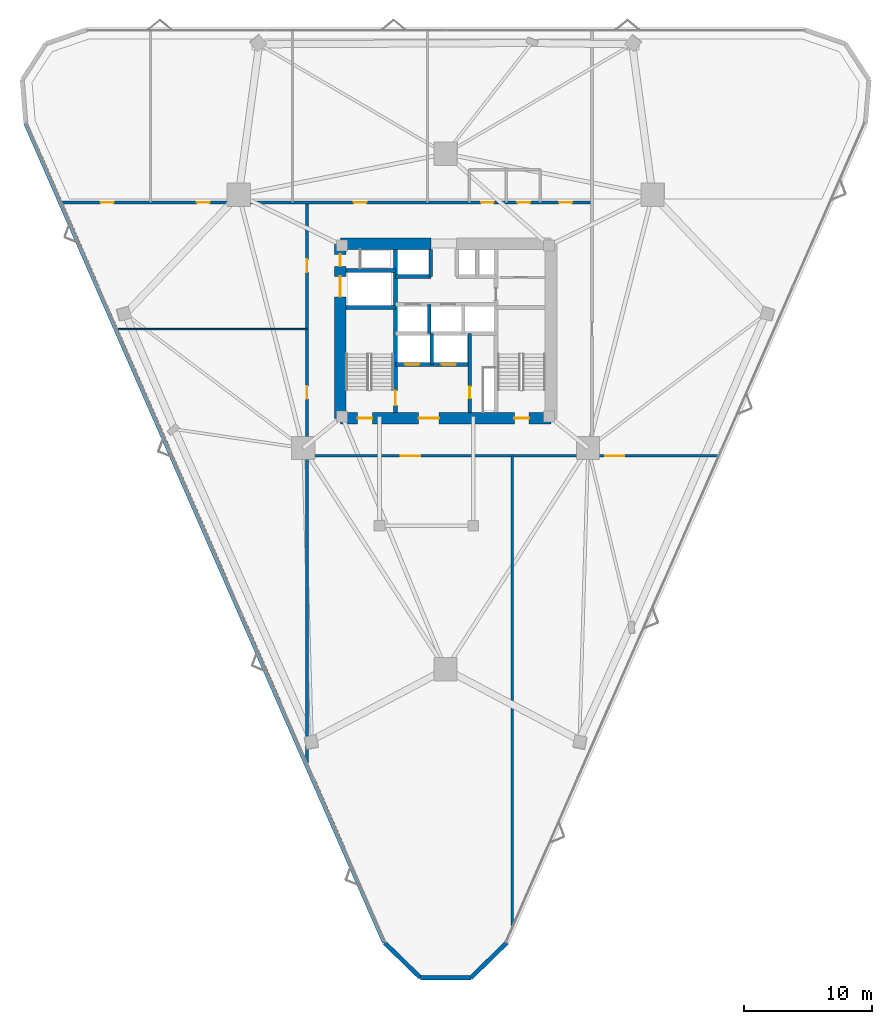
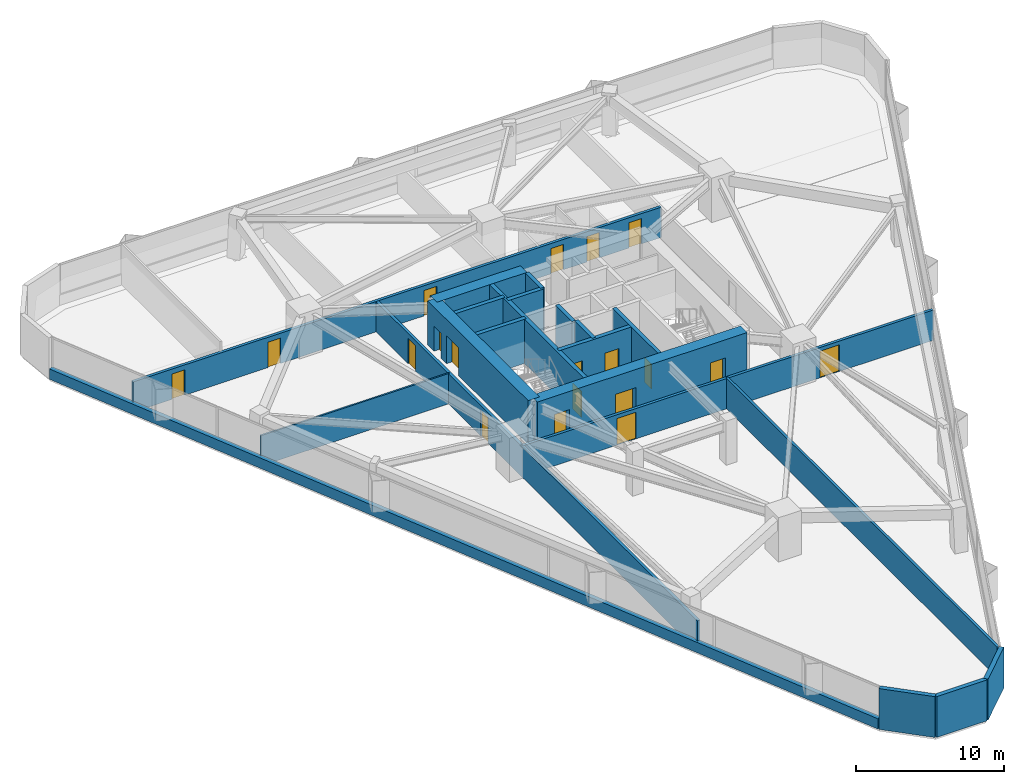
# One storey, part 17 of 21: 21 walls, 19 doors, 19 openings.
"""IFC4 building model written with IfcOpenShell, lengths in metres."""

from ifc_helpers import new_model, si_unit, direction, frame, frame_2d, origin, place, context, subcontext, project, spatial, rectangle, extrude, material, layer, layer_set, type_object, element, fill, save


model = new_model("IFC4")

# Units and contexts
model_context = context("Model", 3, precision=1e-05, world=origin(), true_north=direction((0.0, 1.0)))
body_context = subcontext(model_context, "Body", "Model", "MODEL_VIEW")
ifc_project = project(units=[si_unit("LENGTHUNIT", "METRE"), si_unit("AREAUNIT", "SQUARE_METRE"), si_unit("VOLUMEUNIT", "CUBIC_METRE"), si_unit("PLANEANGLEUNIT", "RADIAN"), si_unit("MASSUNIT", "GRAM", prefix="KILO")], contexts=[model_context])

# Site, building, storey
site_placement = place(None, origin())
site = spatial("IfcSite", under=ifc_project, at=site_placement, CompositionType="ELEMENT")
building_placement = place(site_placement, origin())
building = spatial("IfcBuilding", under=site, at=building_placement, Name="Talyreon Biosciences Tower", CompositionType="ELEMENT")
storey_placement = place(building_placement, frame((0.0, 0.0, 55.64990234375)))
storey = spatial("IfcBuildingStorey", under=building, at=storey_placement, Name="L14", CompositionType="ELEMENT", Elevation=55.64990234375)

# Walls
ifc_material_1 = material(Name="Gypsum fireboard acoustic stud", Category="gypsum")
ifc_layer_1 = layer(ifc_material_1, 0.199951171875)
ifc_layer_set_1 = layer_set([ifc_layer_1], Name="Gypsum fireboard acoustic stud")
wall_type_1 = type_object("IfcWallType", Name="ChemControlPartition_200", PredefinedType="PARTITIONING", material=ifc_layer_set_1)
wall_1_placement = place(storey_placement, frame((71.197021484375, 21.59228515625, 0.0), z_axis=(0.0, 0.0, 1.0), x_axis=(0.0, 1.0, 0.0)))
element("IfcWall", 1, at=wall_1_placement, inside=storey, type_object=wall_type_1, Name="L14 Interior Wall IW-L14-SDIV1", PredefinedType="PARTITIONING", context=body_context, shape_type="SweptSolid", body=[
    extrude(rectangle(XDim=36.687744140625, YDim=0.199951171875, at=frame_2d((18.34375, 0.0))), origin(), (0.0, 0.0, 1.0), 2.505126953125),
])
ifc_material_2 = material(Name="Concrete C50/60", Category="concrete")
ifc_layer_2 = layer(ifc_material_2, 0.280029296875)
ifc_layer_set_2 = layer_set([ifc_layer_2], Name="Concrete C50/60")
wall_type_2 = type_object("IfcWallType", Name="CoreShearWall_280", PredefinedType="SHEAR", material=ifc_layer_set_2)
wall_2_placement = place(storey_placement, frame((64.919921875, 65.39990234375, 0.0), z_axis=(0.0, 0.0, 1.0), x_axis=(0.0, 1.0, 0.0)))
element("IfcWall", 2, at=wall_2_placement, inside=storey, type_object=wall_type_2, Name="L14 Core Shaft Wall SWSHD1", PredefinedType="SHEAR", context=body_context, shape_type="SweptSolid", body=[
    extrude(rectangle(XDim=2.400146484375, YDim=0.280029296875, at=frame_2d((1.2001953125, 0.0))), origin(), (0.0, 0.0, 1.0), 3.650146484375),
])
wall_3_placement = place(storey_placement, frame((64.85009765625, 72.25, 0.0), z_axis=(0.0, 0.0, 1.0), x_axis=(0.0, 1.0, 0.0)))
element("IfcWall", 3, at=wall_3_placement, inside=storey, type_object=wall_type_2, Name="L14 Core Shaft Wall SWTHW", PredefinedType="SHEAR", context=body_context, shape_type="SweptSolid", body=[
    extrude(rectangle(XDim=2.10009765625, YDim=0.280029296875, at=frame_2d((1.050048828125, 0.0))), origin(), (0.0, 0.0, 1.0), 3.650146484375),
])

# Wall, opening, door
wall_4_placement = place(storey_placement, frame((67.8798828125, 61.64990234375, 0.0), z_axis=(0.0, 0.0, 1.0), x_axis=(0.0, 1.0, 0.0)))
wall_4 = element("IfcWall", 4, at=wall_4_placement, inside=storey, type_object=wall_type_2, Name="L14 Core Shaft Wall SWFFE", PredefinedType="SHEAR", context=body_context, shape_type="SweptSolid", body=[
    extrude(rectangle(XDim=6.150146484375, YDim=0.280029296875, at=frame_2d((3.0751953125, 0.0))), origin(), (0.0, 0.0, 1.0), 3.650146484375),
])
opening_1_placement = place(wall_4_placement, frame((1.10009765625, 0.0, 0.0)))
opening_1 = element("IfcOpeningElement", 5, at=opening_1_placement, cuts=wall_4, Name="Opening DR-L14-RSE", PredefinedType="OPENING", context=body_context, shape_type="SweptSolid", body=[
    extrude(rectangle(XDim=0.919921875, YDim=2.050048828125, at=frame_2d((0.4599609375, 1.02490234375))), frame((0.0, 0.14990234375, 0.0), z_axis=(0.0, -1.0, 0.0), x_axis=(1.0, 0.0, 0.0)), (0.0, 0.0, 1.0), 0.300048828125),
])
ifc_material_3 = material(Name="Painted steel fire-rated riser door", Category="steel")
door_type_1 = type_object("IfcDoorType", Name="RiserPlantAccessDoor_920x2050", OperationType="NOTDEFINED", PredefinedType="DOOR", material=ifc_material_3)
door_1_placement = place(opening_1_placement, origin())
door_1 = element("IfcDoor", 6, at=door_1_placement, inside=storey, type_object=door_type_1, Name="L14 Core Door DR-L14-RSE", OperationType="SINGLE_SWING_RIGHT", OverallHeight=2.050048828125, OverallWidth=0.919921875, PredefinedType="DOOR", context=body_context, shape_type="SweptSolid", body=[
    extrude(rectangle(XDim=0.919921875, YDim=2.050048828125, at=frame_2d((0.4599609375, 1.02490234375))), frame((0.0, 0.02490234375, 0.0), z_axis=(0.0, -1.0, 0.0), x_axis=(1.0, 0.0, 0.0)), (0.0, 0.0, 1.0), 0.050048828125),
])
fill(opening_1, door_1)

# Wall
wall_5_placement = place(storey_placement, frame((64.719970703125, 67.800048828125, 0.0), z_axis=(0.0, 0.0, 1.0), x_axis=(0.0, 1.0, 0.0)))
element("IfcWall", 7, at=wall_5_placement, inside=storey, type_object=wall_type_2, Name="L14 Core Shaft Wall SWPLD", PredefinedType="SHEAR", context=body_context, shape_type="SweptSolid", body=[
    extrude(rectangle(XDim=2.25, YDim=0.280029296875, at=frame_2d((1.125, 0.0))), origin(), (0.0, 0.0, 1.0), 3.650146484375),
])

# Wall, opening, door
ifc_layer_3 = layer(ifc_material_2, 0.320068359375)
ifc_layer_set_3 = layer_set([ifc_layer_3], Name="Concrete C50/60")
wall_type_3 = type_object("IfcWallType", Name="CoreShearWall_320", PredefinedType="SHEAR", material=ifc_layer_set_3)
wall_6_placement = place(storey_placement, frame((62.090087890625, 61.64990234375, 0.0), z_axis=(0.0, 0.0, 1.0), x_axis=(0.0, 1.0, 0.0)))
wall_6 = element("IfcWall", 8, at=wall_6_placement, inside=storey, type_object=wall_type_3, Name="L14 Core Shaft Wall SW1E", PredefinedType="SHEAR", context=body_context, shape_type="SweptSolid", body=[
    extrude(rectangle(XDim=12.7001953125, YDim=0.320068359375, at=frame_2d((6.35009765625, 0.0))), origin(), (0.0, 0.0, 1.0), 3.650146484375),
])
opening_2_placement = place(wall_6_placement, frame((0.550048828125, 0.0, 0.0)))
opening_2 = element("IfcOpeningElement", 9, at=opening_2_placement, cuts=wall_6, Name="Opening DR-L14-FF-ST1", PredefinedType="OPENING", context=body_context, shape_type="SweptSolid", body=[
    extrude(rectangle(XDim=1.14990234375, YDim=2.14990234375, at=frame_2d((0.574951171875, 1.074951171875))), frame((0.0, 0.169921875, 0.0), z_axis=(0.0, -1.0, 0.0), x_axis=(1.0, 0.0, 0.0)), (0.0, 0.0, 1.0), 0.340087890625),
])
ifc_material_4 = material(Name="Painted steel fire door", Category="steel")
door_type_2 = type_object("IfcDoorType", Name="StairShaftFireDoor_1150x2150", OperationType="NOTDEFINED", PredefinedType="DOOR", material=ifc_material_4)
door_2_placement = place(opening_2_placement, origin())
door_2 = element("IfcDoor", 10, at=door_2_placement, inside=storey, type_object=door_type_2, Name="L14 Core Door DR-L14-FF-ST1", OperationType="SINGLE_SWING_LEFT", OverallHeight=2.14990234375, OverallWidth=1.14990234375, PredefinedType="DOOR", context=body_context, shape_type="SweptSolid", body=[
    extrude(rectangle(XDim=1.14990234375, YDim=2.14990234375, at=frame_2d((0.574951171875, 1.074951171875))), frame((0.0, 0.02490234375, 0.0), z_axis=(0.0, -1.0, 0.0), x_axis=(1.0, 0.0, 0.0)), (0.0, 0.0, 1.0), 0.050048828125),
])
fill(opening_2, door_2)

# Walls
for number, where, z_axis, x_axis, name in (
    (11, (58.25, 69.81005859375, 0.0), (0.0, 0.0, 1.0), (1.0, 0.0, 0.0), "L14 Core Shaft Wall SW1N"),
    (12, (58.25, 72.699951171875, 0.0), (0.0, 0.0, 1.0), (1.0, 0.0, 0.0), "L14 Core Shaft Wall SWGLN"),
):
    element("IfcWall", number, at=place(storey_placement, frame(where, z_axis=z_axis, x_axis=x_axis)), inside=storey, type_object=wall_type_3, Name=name, PredefinedType="SHEAR", context=body_context, shape_type="SweptSolid", body=[
        extrude(rectangle(XDim=3.840087890625, YDim=0.320068359375, at=frame_2d((1.919921875, 0.0))), origin(), (0.0, 0.0, 1.0), 3.650146484375),
    ])
wall_7_placement = place(storey_placement, frame((62.090087890625, 72.25, 0.0), z_axis=(0.0, 0.0, 1.0), x_axis=(1.0, 0.0, 0.0)))
element("IfcWall", 13, at=wall_7_placement, inside=storey, type_object=wall_type_3, Name="L14 Core Shaft Wall SWNPW", PredefinedType="SHEAR", context=body_context, shape_type="SweptSolid", body=[
    extrude(rectangle(XDim=2.760009765625, YDim=0.320068359375, at=frame_2d((1.3798828125, 0.0))), origin(), (0.0, 0.0, 1.0), 3.650146484375),
])

# Wall, openings, doors
wall_8_placement = place(storey_placement, frame((62.090087890625, 65.39990234375, 0.0), z_axis=(0.0, 0.0, 1.0), x_axis=(1.0, 0.0, 0.0)))
wall_8 = element("IfcWall", 14, at=wall_8_placement, inside=storey, type_object=wall_type_3, Name="L14 Core Shaft Wall SWFFN", PredefinedType="SHEAR", context=body_context, shape_type="SweptSolid", body=[
    extrude(rectangle(XDim=5.789794921875, YDim=0.320068359375, at=frame_2d((2.89501953125, 0.0))), origin(), (0.0, 0.0, 1.0), 3.650146484375),
])
opening_3_placement = place(wall_8_placement, frame((0.75, 0.0, 0.0)))
opening_3 = element("IfcOpeningElement", 15, at=opening_3_placement, cuts=wall_8, Name="Opening LD-L14-FL1", PredefinedType="OPENING", context=body_context, shape_type="SweptSolid", body=[
    extrude(rectangle(XDim=1.10009765625, YDim=2.199951171875, at=frame_2d((0.550048828125, 1.10009765625))), frame((0.0, 0.169921875, 0.0), z_axis=(0.0, -1.0, 0.0), x_axis=(1.0, 0.0, 0.0)), (0.0, 0.0, 1.0), 0.340087890625),
])
opening_4_placement = place(wall_8_placement, frame((3.60009765625, 0.0, 0.0)))
opening_4 = element("IfcOpeningElement", 16, at=opening_4_placement, cuts=wall_8, Name="Opening LD-L14-FL2", PredefinedType="OPENING", context=body_context, shape_type="SweptSolid", body=[
    extrude(rectangle(XDim=1.10009765625, YDim=2.199951171875, at=frame_2d((0.550048828125, 1.10009765625))), frame((0.0, 0.169921875, 0.0), z_axis=(0.0, -1.0, 0.0), x_axis=(1.0, 0.0, 0.0)), (0.0, 0.0, 1.0), 0.340087890625),
])
ifc_material_5 = material(Name="Brushed stainless-steel lift landing door", Category="steel")
door_type_3 = type_object("IfcDoorType", Name="LiftSlidingLandingDoor_1100x2200", OperationType="SLIDING_TO_LEFT", PredefinedType="DOOR", material=ifc_material_5)
door_3_placement = place(opening_3_placement, origin())
door_3 = element("IfcDoor", 17, at=door_3_placement, inside=storey, type_object=door_type_3, Name="L14 Core Door LD-L14-FL1", OperationType="SLIDING_TO_LEFT", OverallHeight=2.199951171875, OverallWidth=1.10009765625, PredefinedType="DOOR", context=body_context, shape_type="SweptSolid", body=[
    extrude(rectangle(XDim=1.10009765625, YDim=2.199951171875, at=frame_2d((0.550048828125, 1.10009765625))), frame((0.0, 0.02490234375, 0.0), z_axis=(0.0, -1.0, 0.0), x_axis=(1.0, 0.0, 0.0)), (0.0, 0.0, 1.0), 0.050048828125),
])
fill(opening_3, door_3)
door_4_placement = place(opening_4_placement, origin())
door_4 = element("IfcDoor", 18, at=door_4_placement, inside=storey, type_object=door_type_3, Name="L14 Core Door LD-L14-FL2", OperationType="SLIDING_TO_LEFT", OverallHeight=2.199951171875, OverallWidth=1.10009765625, PredefinedType="DOOR", context=body_context, shape_type="SweptSolid", body=[
    extrude(rectangle(XDim=1.10009765625, YDim=2.199951171875, at=frame_2d((0.550048828125, 1.10009765625))), frame((0.0, 0.02490234375, 0.0), z_axis=(0.0, -1.0, 0.0), x_axis=(1.0, 0.0, 0.0)), (0.0, 0.0, 1.0), 0.050048828125),
])
fill(opening_4, door_4)

ifc_material_6 = material(Name="Concrete C60/75", Category="concrete")
ifc_layer_4 = layer(ifc_material_6, 0.89990234375)
ifc_layer_set_4 = layer_set([ifc_layer_4], Name="Concrete C60/75")
wall_type_4 = type_object("IfcWallType", Name="CoreShearWall_900", PredefinedType="SHEAR", material=ifc_layer_set_4)
wall_9_placement = place(storey_placement, frame((57.800048828125, 61.199951171875, 0.0), z_axis=(0.0, 0.0, 1.0), x_axis=(1.0, 0.0, 0.0)))
wall_9 = element("IfcWall", 19, at=wall_9_placement, inside=storey, type_object=wall_type_4, Name="L14 Core Shear Wall S", PredefinedType="SHEAR", context=body_context, shape_type="SweptSolid", body=[
    extrude(rectangle(XDim=16.39990234375, YDim=0.89990234375, at=frame_2d((8.199951171875, 0.0))), origin(), (0.0, 0.0, 1.0), 3.650146484375),
])
opening_5_placement = place(wall_9_placement, frame((1.35009765625, 0.0, 0.0)))
opening_5 = element("IfcOpeningElement", 20, at=opening_5_placement, cuts=wall_9, Name="Opening DR-L14-ST1", PredefinedType="OPENING", context=body_context, shape_type="SweptSolid", body=[
    extrude(rectangle(XDim=1.14990234375, YDim=2.14990234375, at=frame_2d((0.574951171875, 1.074951171875))), frame((0.0, 0.4599609375, 0.0), z_axis=(0.0, -1.0, 0.0), x_axis=(1.0, 0.0, 0.0)), (0.0, 0.0, 1.0), 0.919921875),
])
opening_6_placement = place(wall_9_placement, frame((6.10009765625, 0.0, 0.0)))
opening_6 = element("IfcOpeningElement", 21, at=opening_6_placement, cuts=wall_9, Name="Opening DR-L14-FFL", PredefinedType="OPENING", context=body_context, shape_type="SweptSolid", body=[
    extrude(rectangle(XDim=1.60009765625, YDim=2.14990234375, at=frame_2d((0.800048828125, 1.074951171875))), frame((0.0, 0.4599609375, 0.0), z_axis=(0.0, -1.0, 0.0), x_axis=(1.0, 0.0, 0.0)), (0.0, 0.0, 1.0), 0.919921875),
])
opening_7_placement = place(wall_9_placement, frame((13.550048828125, 0.0, 0.0)))
opening_7 = element("IfcOpeningElement", 22, at=opening_7_placement, cuts=wall_9, Name="Opening DR-L14-ST2", PredefinedType="OPENING", context=body_context, shape_type="SweptSolid", body=[
    extrude(rectangle(XDim=1.14990234375, YDim=2.14990234375, at=frame_2d((0.574951171875, 1.074951171875))), frame((0.0, 0.4599609375, 0.0), z_axis=(0.0, -1.0, 0.0), x_axis=(1.0, 0.0, 0.0)), (0.0, 0.0, 1.0), 0.919921875),
])
ifc_material_7 = material(Name="Painted steel smoke-seal fire door", Category="steel")
door_type_4 = type_object("IfcDoorType", Name="FirefightingLobbyDoubleDoor_1600x2150", OperationType="DOUBLE_DOOR_SINGLE_SWING", PredefinedType="DOOR", material=ifc_material_7)
door_5_placement = place(opening_6_placement, origin())
door_5 = element("IfcDoor", 23, at=door_5_placement, inside=storey, type_object=door_type_4, Name="L14 Core Door DR-L14-FFL", OperationType="DOUBLE_DOOR_SINGLE_SWING", OverallHeight=2.14990234375, OverallWidth=1.60009765625, PredefinedType="DOOR", context=body_context, shape_type="SweptSolid", body=[
    extrude(rectangle(XDim=1.60009765625, YDim=2.14990234375, at=frame_2d((0.800048828125, 1.074951171875))), frame((0.0, 0.02490234375, 0.0), z_axis=(0.0, -1.0, 0.0), x_axis=(1.0, 0.0, 0.0)), (0.0, 0.0, 1.0), 0.050048828125),
])
fill(opening_6, door_5)
door_6_placement = place(opening_5_placement, origin())
door_6 = element("IfcDoor", 24, at=door_6_placement, inside=storey, type_object=door_type_2, Name="L14 Core Door DR-L14-ST1", OperationType="SINGLE_SWING_LEFT", OverallHeight=2.14990234375, OverallWidth=1.14990234375, PredefinedType="DOOR", context=body_context, shape_type="SweptSolid", body=[
    extrude(rectangle(XDim=1.14990234375, YDim=2.14990234375, at=frame_2d((0.574951171875, 1.074951171875))), frame((0.0, 0.02490234375, 0.0), z_axis=(0.0, -1.0, 0.0), x_axis=(1.0, 0.0, 0.0)), (0.0, 0.0, 1.0), 0.050048828125),
])
fill(opening_5, door_6)
door_7_placement = place(opening_7_placement, origin())
door_7 = element("IfcDoor", 25, at=door_7_placement, inside=storey, type_object=door_type_2, Name="L14 Core Door DR-L14-ST2", OperationType="SINGLE_SWING_RIGHT", OverallHeight=2.14990234375, OverallWidth=1.14990234375, PredefinedType="DOOR", context=body_context, shape_type="SweptSolid", body=[
    extrude(rectangle(XDim=1.14990234375, YDim=2.14990234375, at=frame_2d((0.574951171875, 1.074951171875))), frame((0.0, 0.02490234375, 0.0), z_axis=(0.0, -1.0, 0.0), x_axis=(1.0, 0.0, 0.0)), (0.0, 0.0, 1.0), 0.050048828125),
])
fill(opening_7, door_7)

# Wall
wall_10_placement = place(storey_placement, frame((64.85009765625, 74.800048828125, 0.0), z_axis=(0.0, 0.0, 1.0), x_axis=(-1.0, 0.0, 0.0)))
element("IfcWall", 26, at=wall_10_placement, inside=storey, type_object=wall_type_4, Name="L14 Core Shear Wall NW", PredefinedType="SHEAR", context=body_context, shape_type="SweptSolid", body=[
    extrude(rectangle(XDim=7.050048828125, YDim=0.89990234375, at=frame_2d((3.52490234375, 0.0))), origin(), (0.0, 0.0, 1.0), 3.650146484375),
])

# Wall, openings, doors
wall_11_placement = place(storey_placement, frame((57.800048828125, 74.800048828125, 0.0), z_axis=(0.0, 0.0, 1.0), x_axis=(0.0, -1.0, 0.0)))
wall_11 = element("IfcWall", 27, at=wall_11_placement, inside=storey, type_object=wall_type_4, Name="L14 Core Shear Wall W", PredefinedType="SHEAR", context=body_context, shape_type="SweptSolid", body=[
    extrude(rectangle(XDim=13.60009765625, YDim=0.89990234375, at=frame_2d((6.800048828125, 0.0))), origin(), (0.0, 0.0, 1.0), 3.650146484375),
])
opening_8_placement = place(wall_11_placement, frame((0.85009765625, 0.0, 0.0)))
opening_8 = element("IfcOpeningElement", 28, at=opening_8_placement, cuts=wall_11, Name="Opening DR-L14-RSW", PredefinedType="OPENING", context=body_context, shape_type="SweptSolid", body=[
    extrude(rectangle(XDim=0.919921875, YDim=2.050048828125, at=frame_2d((0.4599609375, 1.02490234375))), frame((0.0, 0.4599609375, 0.0), z_axis=(0.0, -1.0, 0.0), x_axis=(1.0, 0.0, 0.0)), (0.0, 0.0, 1.0), 0.919921875),
])
opening_9_placement = place(wall_11_placement, frame((2.550048828125, 0.0, 0.0)))
opening_9 = element("IfcOpeningElement", 29, at=opening_9_placement, cuts=wall_11, Name="Opening LD-L14-GL1", PredefinedType="OPENING", context=body_context, shape_type="SweptSolid", body=[
    extrude(rectangle(XDim=1.60009765625, YDim=2.300048828125, at=frame_2d((0.800048828125, 1.14990234375))), frame((0.0, 0.4599609375, 0.0), z_axis=(0.0, -1.0, 0.0), x_axis=(1.0, 0.0, 0.0)), (0.0, 0.0, 1.0), 0.919921875),
])
ifc_material_8 = material(Name="Heavy-duty stainless-steel goods lift door", Category="steel")
door_type_5 = type_object("IfcDoorType", Name="GoodsLiftSlidingDoor_1600x2300", OperationType="DOUBLE_DOOR_SLIDING", PredefinedType="DOOR", material=ifc_material_8)
door_8_placement = place(opening_9_placement, origin())
door_8 = element("IfcDoor", 30, at=door_8_placement, inside=storey, type_object=door_type_5, Name="L14 Core Door LD-L14-GL1", OperationType="DOUBLE_DOOR_SLIDING", OverallHeight=2.300048828125, OverallWidth=1.60009765625, PredefinedType="DOOR", context=body_context, shape_type="SweptSolid", body=[
    extrude(rectangle(XDim=1.60009765625, YDim=2.300048828125, at=frame_2d((0.800048828125, 1.14990234375))), frame((0.0, 0.02490234375, 0.0), z_axis=(0.0, -1.0, 0.0), x_axis=(1.0, 0.0, 0.0)), (0.0, 0.0, 1.0), 0.050048828125),
])
fill(opening_9, door_8)
door_9_placement = place(opening_8_placement, origin())
door_9 = element("IfcDoor", 31, at=door_9_placement, inside=storey, type_object=door_type_1, Name="L14 Core Door DR-L14-RSW", OperationType="SINGLE_SWING_LEFT", OverallHeight=2.050048828125, OverallWidth=0.919921875, PredefinedType="DOOR", context=body_context, shape_type="SweptSolid", body=[
    extrude(rectangle(XDim=0.919921875, YDim=2.050048828125, at=frame_2d((0.4599609375, 1.02490234375))), frame((0.0, 0.02490234375, 0.0), z_axis=(0.0, -1.0, 0.0), x_axis=(1.0, 0.0, 0.0)), (0.0, 0.0, 1.0), 0.050048828125),
])
fill(opening_8, door_9)

ifc_layer_5 = layer(ifc_material_1, 0.219970703125)
ifc_layer_set_5 = layer_set([ifc_layer_5], Name="Gypsum fireboard acoustic stud")
wall_type_5 = type_object("IfcWallType", Name="CorridorRatedPartition_220", PredefinedType="PARTITIONING", material=ifc_layer_set_5)
wall_12_placement = place(storey_placement, frame((36.11376953125, 78.0, 0.0), z_axis=(0.0, 0.0, 1.0), x_axis=(1.0, 0.0, 0.0)))
wall_12 = element("IfcWall", 32, at=wall_12_placement, inside=storey, type_object=wall_type_5, Name="L14 Interior Wall IW-L14-COR-N", PredefinedType="PARTITIONING", context=body_context, shape_type="SweptSolid", body=[
    extrude(rectangle(XDim=41.2861328125, YDim=0.219970703125, at=frame_2d((20.64306640625, 0.0))), origin(), (0.0, 0.0, 1.0), 2.505126953125),
])
opening_10_placement = place(wall_12_placement, frame((32.64599609375, 0.0, 0.0)))
opening_10 = element("IfcOpeningElement", 33, at=opening_10_placement, cuts=wall_12, Name="Opening DR-L14-WC", PredefinedType="OPENING", context=body_context, shape_type="SweptSolid", body=[
    extrude(rectangle(XDim=0.97998046875, YDim=2.10009765625, at=frame_2d((0.489990234375, 1.050048828125))), frame((0.0, 0.119873046875, 0.0), z_axis=(0.0, -1.0, 0.0), x_axis=(1.0, 0.0, 0.0)), (0.0, 0.0, 1.0), 0.239990234375),
])
opening_11_placement = place(wall_12_placement, frame((35.470947265625, 0.0, 0.0)))
opening_11 = element("IfcOpeningElement", 34, at=opening_11_placement, cuts=wall_12, Name="Opening DR-L14-AWC", PredefinedType="OPENING", context=body_context, shape_type="SweptSolid", body=[
    extrude(rectangle(XDim=0.97998046875, YDim=2.10009765625, at=frame_2d((0.489990234375, 1.050048828125))), frame((0.0, 0.119873046875, 0.0), z_axis=(0.0, -1.0, 0.0), x_axis=(1.0, 0.0, 0.0)), (0.0, 0.0, 1.0), 0.239990234375),
])
opening_12_placement = place(wall_12_placement, frame((3.0390625, 0.0, 0.0)))
opening_12 = element("IfcOpeningElement", 35, at=opening_12_placement, cuts=wall_12, Name="Opening DR-L14-N1A", PredefinedType="OPENING", context=body_context, shape_type="SweptSolid", body=[
    extrude(rectangle(XDim=1.0, YDim=2.10009765625, at=frame_2d((0.5, 1.050048828125))), frame((0.0, 0.119873046875, 0.0), z_axis=(0.0, -1.0, 0.0), x_axis=(1.0, 0.0, 0.0)), (0.0, 0.0, 1.0), 0.239990234375),
])
opening_13_placement = place(wall_12_placement, frame((10.527099609375, 0.0, 0.0)))
opening_13 = element("IfcOpeningElement", 36, at=opening_13_placement, cuts=wall_12, Name="Opening DR-L14-N2A", PredefinedType="OPENING", context=body_context, shape_type="SweptSolid", body=[
    extrude(rectangle(XDim=1.0, YDim=2.10009765625, at=frame_2d((0.5, 1.050048828125))), frame((0.0, 0.119873046875, 0.0), z_axis=(0.0, -1.0, 0.0), x_axis=(1.0, 0.0, 0.0)), (0.0, 0.0, 1.0), 0.239990234375),
])
opening_14_placement = place(wall_12_placement, frame((22.73291015625, 0.0, 0.0)))
opening_14 = element("IfcOpeningElement", 37, at=opening_14_placement, cuts=wall_12, Name="Opening DR-L14-N3A", PredefinedType="OPENING", context=body_context, shape_type="SweptSolid", body=[
    extrude(rectangle(XDim=1.0, YDim=2.10009765625, at=frame_2d((0.5, 1.050048828125))), frame((0.0, 0.119873046875, 0.0), z_axis=(0.0, -1.0, 0.0), x_axis=(1.0, 0.0, 0.0)), (0.0, 0.0, 1.0), 0.239990234375),
])
opening_15_placement = place(wall_12_placement, frame((38.72607421875, 0.0, 0.0)))
opening_15 = element("IfcOpeningElement", 38, at=opening_15_placement, cuts=wall_12, Name="Opening DR-L14-N4A", PredefinedType="OPENING", context=body_context, shape_type="SweptSolid", body=[
    extrude(rectangle(XDim=1.0, YDim=2.10009765625, at=frame_2d((0.5, 1.050048828125))), frame((0.0, 0.119873046875, 0.0), z_axis=(0.0, -1.0, 0.0), x_axis=(1.0, 0.0, 0.0)), (0.0, 0.0, 1.0), 0.239990234375),
])
ifc_material_9 = material(Name="Laminate moisture-resistant door", Category="wood")
door_type_6 = type_object("IfcDoorType", Name="AccessibleToiletDoor_980x2100", OperationType="NOTDEFINED", PredefinedType="DOOR", material=ifc_material_9)
door_10_placement = place(opening_10_placement, origin())
door_10 = element("IfcDoor", 39, at=door_10_placement, inside=storey, type_object=door_type_6, Name="L14 Interior Door DR-L14-WC", OperationType="SINGLE_SWING_RIGHT", OverallHeight=2.10009765625, OverallWidth=0.97998046875, PredefinedType="DOOR", context=body_context, shape_type="SweptSolid", body=[
    extrude(rectangle(XDim=0.97998046875, YDim=2.10009765625, at=frame_2d((0.489990234375, 1.050048828125))), frame((0.0, 0.02490234375, 0.0), z_axis=(0.0, -1.0, 0.0), x_axis=(1.0, 0.0, 0.0)), (0.0, 0.0, 1.0), 0.050048828125),
])
fill(opening_10, door_10)
door_11_placement = place(opening_11_placement, origin())
door_11 = element("IfcDoor", 40, at=door_11_placement, inside=storey, type_object=door_type_6, Name="L14 Interior Door DR-L14-AWC", OperationType="SINGLE_SWING_RIGHT", OverallHeight=2.10009765625, OverallWidth=0.97998046875, PredefinedType="DOOR", context=body_context, shape_type="SweptSolid", body=[
    extrude(rectangle(XDim=0.97998046875, YDim=2.10009765625, at=frame_2d((0.489990234375, 1.050048828125))), frame((0.0, 0.02490234375, 0.0), z_axis=(0.0, -1.0, 0.0), x_axis=(1.0, 0.0, 0.0)), (0.0, 0.0, 1.0), 0.050048828125),
])
fill(opening_11, door_11)
ifc_material_10 = material(Name="Acoustic oak veneer office door", Category="wood")
door_type_7 = type_object("IfcDoorType", Name="WriteupOfficeDoor_1000x2100", OperationType="NOTDEFINED", PredefinedType="DOOR", material=ifc_material_10)
door_12_placement = place(opening_12_placement, origin())
door_12 = element("IfcDoor", 41, at=door_12_placement, inside=storey, type_object=door_type_7, Name="L14 Interior Door DR-L14-N1A", OperationType="SINGLE_SWING_LEFT", OverallHeight=2.10009765625, OverallWidth=1.0, PredefinedType="DOOR", context=body_context, shape_type="SweptSolid", body=[
    extrude(rectangle(XDim=1.0, YDim=2.10009765625, at=frame_2d((0.5, 1.050048828125))), frame((0.0, 0.02490234375, 0.0), z_axis=(0.0, -1.0, 0.0), x_axis=(1.0, 0.0, 0.0)), (0.0, 0.0, 1.0), 0.050048828125),
])
fill(opening_12, door_12)
door_13_placement = place(opening_13_placement, origin())
door_13 = element("IfcDoor", 42, at=door_13_placement, inside=storey, type_object=door_type_7, Name="L14 Interior Door DR-L14-N2A", OperationType="SINGLE_SWING_LEFT", OverallHeight=2.10009765625, OverallWidth=1.0, PredefinedType="DOOR", context=body_context, shape_type="SweptSolid", body=[
    extrude(rectangle(XDim=1.0, YDim=2.10009765625, at=frame_2d((0.5, 1.050048828125))), frame((0.0, 0.02490234375, 0.0), z_axis=(0.0, -1.0, 0.0), x_axis=(1.0, 0.0, 0.0)), (0.0, 0.0, 1.0), 0.050048828125),
])
fill(opening_13, door_13)
door_14_placement = place(opening_14_placement, origin())
door_14 = element("IfcDoor", 43, at=door_14_placement, inside=storey, type_object=door_type_7, Name="L14 Interior Door DR-L14-N3A", OperationType="SINGLE_SWING_LEFT", OverallHeight=2.10009765625, OverallWidth=1.0, PredefinedType="DOOR", context=body_context, shape_type="SweptSolid", body=[
    extrude(rectangle(XDim=1.0, YDim=2.10009765625, at=frame_2d((0.5, 1.050048828125))), frame((0.0, 0.02490234375, 0.0), z_axis=(0.0, -1.0, 0.0), x_axis=(1.0, 0.0, 0.0)), (0.0, 0.0, 1.0), 0.050048828125),
])
fill(opening_14, door_14)
door_15_placement = place(opening_15_placement, origin())
door_15 = element("IfcDoor", 44, at=door_15_placement, inside=storey, type_object=door_type_7, Name="L14 Interior Door DR-L14-N4A", OperationType="SINGLE_SWING_LEFT", OverallHeight=2.10009765625, OverallWidth=1.0, PredefinedType="DOOR", context=body_context, shape_type="SweptSolid", body=[
    extrude(rectangle(XDim=1.0, YDim=2.10009765625, at=frame_2d((0.5, 1.050048828125))), frame((0.0, 0.02490234375, 0.0), z_axis=(0.0, -1.0, 0.0), x_axis=(1.0, 0.0, 0.0)), (0.0, 0.0, 1.0), 0.050048828125),
])
fill(opening_15, door_15)

wall_13_placement = place(storey_placement, frame((55.199951171875, 58.280029296875, 0.0), z_axis=(0.0, 0.0, 1.0), x_axis=(1.0, 0.0, 0.0)))
wall_13 = element("IfcWall", 45, at=wall_13_placement, inside=storey, type_object=wall_type_5, Name="L14 Interior Wall IW-L14-COR-S", PredefinedType="PARTITIONING", context=body_context, shape_type="SweptSolid", body=[
    extrude(rectangle(XDim=32.054931640625, YDim=0.219970703125, at=frame_2d((16.02734375, 0.0))), origin(), (0.0, 0.0, 1.0), 2.505126953125),
])
opening_16_placement = place(wall_13_placement, frame((7.323974609375, 0.0, 0.0)))
opening_16 = element("IfcOpeningElement", 46, at=opening_16_placement, cuts=wall_13, Name="Opening DR-L14-S1A", PredefinedType="OPENING", context=body_context, shape_type="SweptSolid", body=[
    extrude(rectangle(XDim=1.5, YDim=2.199951171875, at=frame_2d((0.75, 1.10009765625))), frame((0.0, 0.119873046875, 0.0), z_axis=(0.0, -1.0, 0.0), x_axis=(1.0, 0.0, 0.0)), (0.0, 0.0, 1.0), 0.239990234375),
])
opening_17_placement = place(wall_13_placement, frame((23.200927734375, 0.0, 0.0)))
opening_17 = element("IfcOpeningElement", 47, at=opening_17_placement, cuts=wall_13, Name="Opening DR-L14-S2A", PredefinedType="OPENING", context=body_context, shape_type="SweptSolid", body=[
    extrude(rectangle(XDim=1.5, YDim=2.199951171875, at=frame_2d((0.75, 1.10009765625))), frame((0.0, 0.119873046875, 0.0), z_axis=(0.0, -1.0, 0.0), x_axis=(1.0, 0.0, 0.0)), (0.0, 0.0, 1.0), 0.239990234375),
])
ifc_material_11 = material(Name="Vision-panel steel laboratory fire door", Category="steel")
door_type_8 = type_object("IfcDoorType", Name="WetLabDoubleLeafDoor_1500x2200", OperationType="DOUBLE_DOOR_SINGLE_SWING", PredefinedType="DOOR", material=ifc_material_11)
door_16_placement = place(opening_16_placement, origin())
door_16 = element("IfcDoor", 48, at=door_16_placement, inside=storey, type_object=door_type_8, Name="L14 Interior Door DR-L14-S1A", OperationType="DOUBLE_DOOR_SINGLE_SWING", OverallHeight=2.199951171875, OverallWidth=1.5, PredefinedType="DOOR", context=body_context, shape_type="SweptSolid", body=[
    extrude(rectangle(XDim=1.5, YDim=2.199951171875, at=frame_2d((0.75, 1.10009765625))), frame((0.0, 0.02490234375, 0.0), z_axis=(0.0, -1.0, 0.0), x_axis=(1.0, 0.0, 0.0)), (0.0, 0.0, 1.0), 0.050048828125),
])
fill(opening_16, door_16)
door_17_placement = place(opening_17_placement, origin())
door_17 = element("IfcDoor", 49, at=door_17_placement, inside=storey, type_object=door_type_8, Name="L14 Interior Door DR-L14-S2A", OperationType="DOUBLE_DOOR_SINGLE_SWING", OverallHeight=2.199951171875, OverallWidth=1.5, PredefinedType="DOOR", context=body_context, shape_type="SweptSolid", body=[
    extrude(rectangle(XDim=1.5, YDim=2.199951171875, at=frame_2d((0.75, 1.10009765625))), frame((0.0, 0.02490234375, 0.0), z_axis=(0.0, -1.0, 0.0), x_axis=(1.0, 0.0, 0.0)), (0.0, 0.0, 1.0), 0.050048828125),
])
fill(opening_17, door_17)

wall_14_placement = place(storey_placement, frame((55.199951171875, 34.3935546875, 0.0), z_axis=(0.0, 0.0, 1.0), x_axis=(0.0, 1.0, 0.0)))
wall_14 = element("IfcWall", 50, at=wall_14_placement, inside=storey, type_object=wall_type_5, Name="L14 Interior Wall IW-L14-COR-W", PredefinedType="PARTITIONING", context=body_context, shape_type="SweptSolid", body=[
    extrude(rectangle(XDim=43.6064453125, YDim=0.219970703125, at=frame_2d((21.80322265625, 0.0))), origin(), (0.0, 0.0, 1.0), 2.505126953125),
])
opening_18_placement = place(wall_14_placement, frame((28.31591796875, 0.0, 0.0)))
opening_18 = element("IfcOpeningElement", 51, at=opening_18_placement, cuts=wall_14, Name="Opening DR-L14-W1A", PredefinedType="OPENING", context=body_context, shape_type="SweptSolid", body=[
    extrude(rectangle(XDim=1.0, YDim=2.10009765625, at=frame_2d((0.5, 1.050048828125))), frame((0.0, 0.119873046875, 0.0), z_axis=(0.0, -1.0, 0.0), x_axis=(1.0, 0.0, 0.0)), (0.0, 0.0, 1.0), 0.239990234375),
])
opening_19_placement = place(wall_14_placement, frame((38.176025390625, 0.0, 0.0)))
opening_19 = element("IfcOpeningElement", 52, at=opening_19_placement, cuts=wall_14, Name="Opening DR-L14-W2A", PredefinedType="OPENING", context=body_context, shape_type="SweptSolid", body=[
    extrude(rectangle(XDim=1.0, YDim=2.10009765625, at=frame_2d((0.5, 1.050048828125))), frame((0.0, 0.119873046875, 0.0), z_axis=(0.0, -1.0, 0.0), x_axis=(1.0, 0.0, 0.0)), (0.0, 0.0, 1.0), 0.239990234375),
])
door_18_placement = place(opening_18_placement, origin())
door_18 = element("IfcDoor", 53, at=door_18_placement, inside=storey, type_object=door_type_7, Name="L14 Interior Door DR-L14-W1A", OperationType="SINGLE_SWING_RIGHT", OverallHeight=2.10009765625, OverallWidth=1.0, PredefinedType="DOOR", context=body_context, shape_type="SweptSolid", body=[
    extrude(rectangle(XDim=1.0, YDim=2.10009765625, at=frame_2d((0.5, 1.050048828125))), frame((0.0, 0.02490234375, 0.0), z_axis=(0.0, -1.0, 0.0), x_axis=(1.0, 0.0, 0.0)), (0.0, 0.0, 1.0), 0.050048828125),
])
fill(opening_18, door_18)
door_19_placement = place(opening_19_placement, origin())
door_19 = element("IfcDoor", 54, at=door_19_placement, inside=storey, type_object=door_type_7, Name="L14 Interior Door DR-L14-W2A", OperationType="SINGLE_SWING_LEFT", OverallHeight=2.10009765625, OverallWidth=1.0, PredefinedType="DOOR", context=body_context, shape_type="SweptSolid", body=[
    extrude(rectangle(XDim=1.0, YDim=2.10009765625, at=frame_2d((0.5, 1.050048828125))), frame((0.0, 0.02490234375, 0.0), z_axis=(0.0, -1.0, 0.0), x_axis=(1.0, 0.0, 0.0)), (0.0, 0.0, 1.0), 0.050048828125),
])
fill(opening_19, door_19)

# Walls
ifc_material_12 = material(Name="Gypsum acoustic stud partition", Category="gypsum")
ifc_layer_6 = layer(ifc_material_12, 0.1298828125)
ifc_layer_set_6 = layer_set([ifc_layer_6], Name="Gypsum acoustic stud partition")
wall_type_6 = type_object("IfcWallType", Name="OfficeWriteupPartition_130", PredefinedType="PARTITIONING", material=ifc_layer_set_6)
wall_15_placement = place(storey_placement, frame((40.429443359375, 68.139892578125, 0.0), z_axis=(0.0, 0.0, 1.0), x_axis=(1.0, 0.0, 0.0)))
element("IfcWall", 55, at=wall_15_placement, inside=storey, type_object=wall_type_6, Name="L14 Interior Wall IW-L14-WDIV1", PredefinedType="PARTITIONING", context=body_context, shape_type="SweptSolid", body=[
    extrude(rectangle(XDim=14.7705078125, YDim=0.1298828125, at=frame_2d((7.38525390625, 0.0))), origin(), (0.0, 0.0, 1.0), 2.505126953125),
])
ifc_material_13 = material(Name="Precast concrete C45/55", Category="concrete")
ifc_layer_7 = layer(ifc_material_13, 0.340087890625)
ifc_layer_set_7 = layer_set([ifc_layer_7], Name="Precast concrete C45/55")
wall_type_7 = type_object("IfcWallType", Name="PrecastConcreteSpandrelWall_340", PredefinedType="STANDARD", material=ifc_layer_set_7)
wall_16_placement = place(storey_placement, frame((61.236328125, 20.390380859375, 0.0), z_axis=(0.0, 0.0, 1.0), x_axis=(-0.400969676651, 0.916091326455, 0.0)))
element("IfcWall", 56, at=wall_16_placement, inside=storey, type_object=wall_type_7, Name="L14 Expressed Concrete Sill Wall 00", PredefinedType="STANDARD", context=body_context, shape_type="SweptSolid", body=[
    extrude(rectangle(XDim=69.6201171875, YDim=0.340087890625, at=frame_2d((34.81005859375, 0.0))), origin(), (0.0, 0.0, 1.0), 0.85009765625),
])
wall_17_placement = place(storey_placement, frame((70.763671875, 20.390380859375, 0.0), z_axis=(0.0, 0.0, 1.0), x_axis=(-0.716426907231, -0.697662157921, 0.0)))
element("IfcWall", 57, at=wall_17_placement, inside=storey, type_object=wall_type_7, Name="L14 Rounded-Corner Concrete Pier 09", PredefinedType="STANDARD", context=body_context, shape_type="SweptSolid", body=[
    extrude(rectangle(XDim=3.916259765625, YDim=0.340087890625, at=frame_2d((1.9580078125, 0.0))), origin(), (0.0, 0.0, 1.0), 3.375),
])
wall_18_placement = place(storey_placement, frame((67.9580078125, 17.658203125, 0.0), z_axis=(0.0, 0.0, 1.0), x_axis=(-1.0, 0.0, 0.0)))
element("IfcWall", 58, at=wall_18_placement, inside=storey, type_object=wall_type_7, Name="L14 Rounded-Corner Concrete Pier 10", PredefinedType="STANDARD", context=body_context, shape_type="SweptSolid", body=[
    extrude(rectangle(XDim=3.916015625, YDim=0.340087890625, at=frame_2d((1.9580078125, 0.0))), origin(), (0.0, 0.0, 1.0), 3.375),
])
wall_19_placement = place(storey_placement, frame((64.0419921875, 17.658203125, 0.0), z_axis=(0.0, 0.0, 1.0), x_axis=(-0.716426907231, 0.697662157921, 0.0)))
element("IfcWall", 59, at=wall_19_placement, inside=storey, type_object=wall_type_7, Name="L14 Rounded-Corner Concrete Pier 11", PredefinedType="STANDARD", context=body_context, shape_type="SweptSolid", body=[
    extrude(rectangle(XDim=3.916259765625, YDim=0.340087890625, at=frame_2d((1.9580078125, 0.0))), origin(), (0.0, 0.0, 1.0), 3.375),
])

save(model, "model.ifc")
